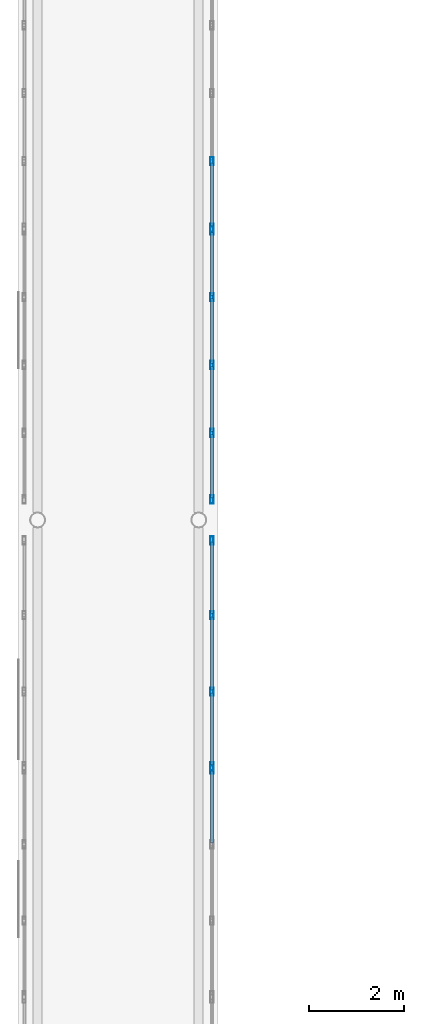
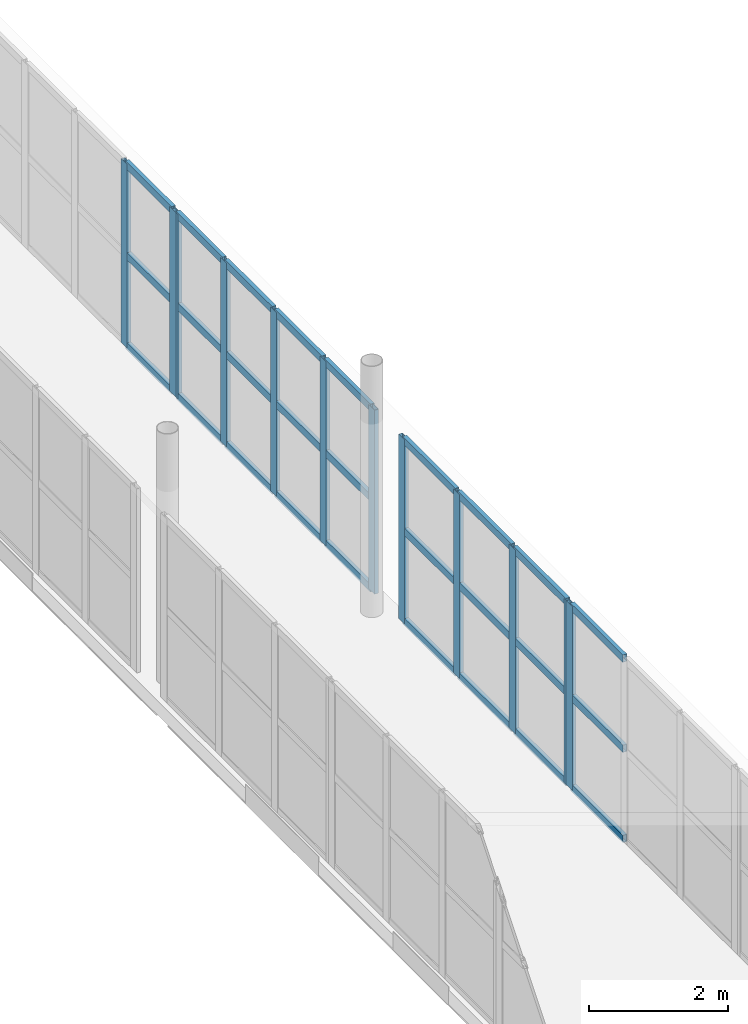
# One storey, part 55 of 142: 39 members, 4 elements without a shape of their own.
"""IFC4 building model written with IfcOpenShell, lengths in metres."""

import ifcopenshell
import ifcopenshell.guid

model = None  # the IFC model being written
_history = None  # IfcOwnerHistory: only IFC2X3 demands one
_inside = {}  # id of a spatial element -> (the spatial element, [elements in it])
_under = {}  # id of a project, library or spatial element -> (it, [spatial elements below it])
_declared = {}  # id of a project -> (the project, [libraries it declares])
_typed = {}  # id of a type object -> (the type object, [elements of that type])
_made_of = {}  # id of a material, layer set ... -> (it, [elements and type objects made of it])


def new_model(schema):
    """Start an empty IFC model of exactly this schema.

    Asked for "IFC4X3", IfcOpenShell would pick the latest addendum, in which some entities
    have other attributes; the version numbers below select the first issue.
    IFC2X3 requires an IfcOwnerHistory on every rooted entity: one is made here for all.
    """
    global model, _history
    if schema == "IFC4X3":
        model = ifcopenshell.file(schema_version=(4, 3, 0, 0))
    else:
        model = ifcopenshell.file(schema=schema)
    _inside.clear()
    _under.clear()
    _declared.clear()
    _typed.clear()
    _made_of.clear()
    _history = None
    if model.schema == "IFC2X3":
        org = make("IfcOrganization", Name="unknown")
        user = make(
            "IfcPersonAndOrganization",
            ThePerson=make("IfcPerson", FamilyName="unknown"),
            TheOrganization=org,
        )
        app = make(
            "IfcApplication",
            ApplicationDeveloper=org,
            Version="unknown",
            ApplicationFullName="unknown",
            ApplicationIdentifier="unknown",
        )
        _history = make(
            "IfcOwnerHistory",
            OwningUser=user,
            OwningApplication=app,
            ChangeAction="ADDED",
            CreationDate=0,
        )
    return model


def make(cls, **values):
    """One entity of the class cls with the attributes given. An attribute that is None is left unset."""
    return model.create_entity(
        cls, **{name: value for name, value in values.items() if value is not None}
    )


def rooted(cls, **values):
    """An entity with a GlobalId (a new one), such as an element, a storey or a relation."""
    return make(cls, GlobalId=ifcopenshell.guid.new(), OwnerHistory=_history, **values)


def si_unit(unit_type, name, prefix=None):
    """IfcSIUnit, for example si_unit("LENGTHUNIT", "METRE", prefix="MILLI")."""
    return make("IfcSIUnit", UnitType=unit_type, Prefix=prefix, Name=name)


def assignment(units):
    """IfcUnitAssignment: the units of a project."""
    return None if units is None else make("IfcUnitAssignment", Units=units)


def point(xyz):
    """IfcCartesianPoint."""
    return None if xyz is None else make("IfcCartesianPoint", Coordinates=xyz)


def direction(xyz):
    """IfcDirection."""
    return None if xyz is None else make("IfcDirection", DirectionRatios=xyz)


def frame(location, z_axis=None, x_axis=None):
    """IfcAxis2Placement3D, a coordinate frame: its origin and axes. An axis left out is left unset."""
    return make(
        "IfcAxis2Placement3D",
        Location=point(location),
        Axis=direction(z_axis),
        RefDirection=direction(x_axis),
    )


def frame_2d(location, x_axis=None):
    """IfcAxis2Placement2D, a coordinate frame in the plane: its origin and x axis."""
    return make(
        "IfcAxis2Placement2D", Location=point(location), RefDirection=direction(x_axis)
    )


def origin():
    """The frame at (0, 0, 0) with its axes left unset."""
    return frame((0.0, 0.0, 0.0))


def origin_2d():
    """The frame at (0, 0) in the plane with its x axis left unset."""
    return frame_2d((0.0, 0.0))


def place(relative_to, where):
    """IfcLocalPlacement: puts the frame where relative to a parent placement (None: the world)."""
    return make(
        "IfcLocalPlacement", PlacementRelTo=relative_to, RelativePlacement=where
    )


def context(
    kind, dimensions, precision=None, world=None, true_north=None, identifier=None
):
    """IfcGeometricRepresentationContext, for example the 3D "Model" context."""
    return make(
        "IfcGeometricRepresentationContext",
        ContextIdentifier=identifier,
        ContextType=kind,
        CoordinateSpaceDimension=dimensions,
        Precision=precision,
        WorldCoordinateSystem=world,
        TrueNorth=true_north,
    )


def subcontext(parent, identifier, kind, view, scale=None):
    """IfcGeometricRepresentationSubContext, for example "Body" below "Model"."""
    return make(
        "IfcGeometricRepresentationSubContext",
        ContextIdentifier=identifier,
        ContextType=kind,
        ParentContext=parent,
        TargetScale=scale,
        TargetView=view,
    )


def project(units=None, contexts=None):
    """IfcProject with its units and contexts."""
    return rooted(
        "IfcProject",
        Name="project",
        RepresentationContexts=contexts,
        UnitsInContext=assignment(units),
    )


def spatial(cls, under=None, at=None, **own):
    """A site, building, storey or space (cls), placed at a placement, below another one or the project."""
    s = rooted(cls, ObjectPlacement=at, **own)
    if under is not None:
        _under.setdefault(under.id(), (under, []))[1].append(s)
    return s


def profile(cls, at=None, kind="AREA", **sizes):
    """A parametric profile (cls). Its sizes go by their IFC names, for example OverallWidth=200.0."""
    return make(cls, ProfileType=kind, Position=at, **sizes)


def hollow_rectangle(**sizes):
    """IfcRectangleHollowProfileDef."""
    return profile("IfcRectangleHollowProfileDef", **sizes)


def extrude(swept, where, along, depth):
    """IfcExtrudedAreaSolid: the profile swept, set in the frame where, extruded along a direction by depth."""
    return make(
        "IfcExtrudedAreaSolid",
        SweptArea=swept,
        Position=where,
        ExtrudedDirection=direction(along),
        Depth=depth,
    )


def shape(context_of_items, identifier, shape_type, items):
    """IfcShapeRepresentation: the items that make up one representation, for example the "Body"."""
    return make(
        "IfcShapeRepresentation",
        ContextOfItems=context_of_items,
        RepresentationIdentifier=identifier,
        RepresentationType=shape_type,
        Items=items,
    )


def material(Name=None, Category=None):
    """IfcMaterial."""
    return make("IfcMaterial", Name=Name, Category=Category)


def layer(
    of_material, thickness, ventilated=None, Name=None, Category=None, Priority=None
):
    """IfcMaterialLayer: one layer of a wall or slab, of a material (None: an air gap)."""
    return make(
        "IfcMaterialLayer",
        Material=of_material,
        LayerThickness=thickness,
        IsVentilated=ventilated,
        Name=Name,
        Category=Category,
        Priority=Priority,
    )


def layer_set(layers, Name=None):
    """IfcMaterialLayerSet."""
    return make("IfcMaterialLayerSet", MaterialLayers=layers, LayerSetName=Name)


def material_profile(
    of_material, cross_section, Name=None, Category=None, Priority=None
):
    """IfcMaterialProfile: a cross section and its material."""
    return make(
        "IfcMaterialProfile",
        Name=Name,
        Material=of_material,
        Profile=cross_section,
        Priority=Priority,
        Category=Category,
    )


def profile_set(profiles, Name=None, composite=None):
    """IfcMaterialProfileSet."""
    return make(
        "IfcMaterialProfileSet",
        Name=Name,
        MaterialProfiles=profiles,
        CompositeProfile=composite,
    )


def made_of(thing, what):
    """Note that an element or type object is made of a material, layer set ...; save() writes the relation."""
    if what is not None:
        _made_of.setdefault(what.id(), (what, []))[1].append(thing)
    return thing


def type_object(cls, material=None, **own):
    """A type object (cls), such as IfcWallType, which elements share."""
    return made_of(rooted(cls, **own), material)


def element(
    cls,
    number,
    at=None,
    inside=None,
    cuts=None,
    type_object=None,
    material=None,
    context=None,
    identifier="Body",
    shape_type=None,
    held_by="IfcProductDefinitionShape",
    body=None,
    shapes=None,
    **own,
):
    """One element of the class cls, such as IfcWall. Its Tag is "e" and its number.

    at: its placement. inside: the storey or other place that contains it. cuts: it is an
    opening in that element (IfcRelVoidsElement). A single representation is given by context,
    identifier, shape_type and body (its items); several are given by shapes. held_by: the class
    of the entity that holds the representations. save() writes the other relations.
    """
    e = rooted(cls, Tag="e%d" % number, ObjectPlacement=at, **own)
    if body is not None:
        shapes = [shape(context, identifier, shape_type, body)]
    if shapes is not None:
        e.Representation = make(held_by, Representations=shapes)
    if inside is not None:
        _inside.setdefault(inside.id(), (inside, []))[1].append(e)
    if cuts is not None:
        rooted(
            "IfcRelVoidsElement", RelatingBuildingElement=cuts, RelatedOpeningElement=e
        )
    if type_object is not None:
        _typed.setdefault(type_object.id(), (type_object, []))[1].append(e)
    return made_of(e, material)


def aggregate(whole, parts):
    """IfcRelAggregates: a whole, such as a stair, and the parts it consists of."""
    return rooted("IfcRelAggregates", RelatingObject=whole, RelatedObjects=parts)


def save(model, path):
    """Write the relations noted so far, then the file.

    IfcRelAggregates (storeys below a building ...), IfcRelContainedInSpatialStructure (elements
    in a storey), IfcRelDefinesByType, IfcRelAssociatesMaterial and IfcRelDeclares: one each for
    every whole, place, type object, material and project.
    """
    for whole, parts in _under.values():
        aggregate(whole, parts)
    for where, things in _inside.values():
        rooted(
            "IfcRelContainedInSpatialStructure",
            RelatedElements=things,
            RelatingStructure=where,
        )
    for kind, things in _typed.values():
        rooted("IfcRelDefinesByType", RelatedObjects=things, RelatingType=kind)
    for what, things in _made_of.values():
        rooted("IfcRelAssociatesMaterial", RelatedObjects=things, RelatingMaterial=what)
    for by, libraries in _declared.values():
        rooted("IfcRelDeclares", RelatingContext=by, RelatedDefinitions=libraries)
    model.write(path)


model = new_model("IFC4")

# Units and contexts
model_context = context("Model", 3, precision=1e-05, world=origin(), true_north=direction((0.0, 1.0)))
body_context = subcontext(model_context, "Body", "Model", "MODEL_VIEW")
ifc_project = project(units=[si_unit("LENGTHUNIT", "METRE"), si_unit("AREAUNIT", "SQUARE_METRE"), si_unit("VOLUMEUNIT", "CUBIC_METRE"), si_unit("PLANEANGLEUNIT", "RADIAN"), si_unit("MASSUNIT", "GRAM", prefix="KILO")], contexts=[model_context])

# Site, building, storey
site_placement = place(None, origin())
site = spatial("IfcSite", under=ifc_project, at=site_placement, CompositionType="ELEMENT")
building_placement = place(site_placement, origin())
building = spatial("IfcBuilding", under=site, at=building_placement, Name="Valcora Specialist Clinic", CompositionType="ELEMENT")
storey_placement = place(building_placement, frame((0.0, 0.0, 5.10009765625)))
storey = spatial("IfcBuildingStorey", under=building, at=storey_placement, Name="L01", CompositionType="ELEMENT", Elevation=5.10009765625)

# Curtain wall, member
ifc_material = material(Name="Anodized Bronze Aluminium 6063-T6", Category="aluminium")
ifc_layer = layer(ifc_material, 0.175048828125)
ifc_layer_set = layer_set([ifc_layer], Name="Anodized Bronze Aluminium 6063-T6")
curtain_wall_type = type_object("IfcCurtainWallType", Name="TY-CW-BRG14", PredefinedType="NOTDEFINED", material=ifc_layer_set)
curtain_wall_1_placement = place(storey_placement, origin())
curtain_wall_1 = element("IfcCurtainWall", 1, at=curtain_wall_1_placement, inside=storey, type_object=curtain_wall_type, Name="Curtain wall CW-L01-241", PredefinedType="NOTDEFINED")
ifc_material_profile_1 = material_profile(ifc_material, hollow_rectangle(XDim=0.06494140625, YDim=0.175048828125, WallThickness=0.00390625, at=origin_2d()), Name="AL-MUL-65X175")
ifc_profile_set_1 = profile_set([ifc_material_profile_1], Name="Anodized Bronze Aluminium 6063-T6")
member_type_1 = type_object("IfcMemberType", Name="TY-CWM-65X175", PredefinedType="MULLION", material=ifc_profile_set_1)
member_1_placement = place(storey_placement, frame((65.280029296875, 32.734130859375, 0.0), z_axis=(0.0, 0.0, 1.0), x_axis=(-1.0, 0.0, 0.0)))
member_1 = element("IfcMember", 2, at=member_1_placement, type_object=member_type_1, Name="CW-BRG-14 mullion 4", PredefinedType="MULLION", context=body_context, shape_type="SweptSolid", body=[
    extrude(hollow_rectangle(XDim=0.06494140625, YDim=0.175048828125, WallThickness=0.00390625, at=origin_2d()), origin(), (0.0, 0.0, 1.0), 3.239990234375),
])

# Curtain wall, members
curtain_wall_2_placement = place(storey_placement, origin())
curtain_wall_2 = element("IfcCurtainWall", 3, at=curtain_wall_2_placement, inside=storey, type_object=curtain_wall_type, Name="Curtain wall CW-L01-242", PredefinedType="NOTDEFINED")
member_2_placement = place(storey_placement, frame((65.280029296875, 32.79931640625, 0.0), z_axis=(0.0, 0.0, 1.0), x_axis=(-1.0, 0.0, 0.0)))
member_2 = element("IfcMember", 4, at=member_2_placement, type_object=member_type_1, Name="CW-BRG-14 mullion 1", PredefinedType="MULLION", context=body_context, shape_type="SweptSolid", body=[
    extrude(hollow_rectangle(XDim=0.06494140625, YDim=0.175048828125, WallThickness=0.00390625, at=origin_2d()), origin(), (0.0, 0.0, 1.0), 3.239990234375),
])
member_3_placement = place(storey_placement, frame((65.280029296875, 34.377685546875, 0.0), z_axis=(0.0, 0.0, 1.0), x_axis=(-1.0, 0.0, 0.0)))
member_3 = element("IfcMember", 5, at=member_3_placement, type_object=member_type_1, Name="CW-BRG-14 mullion 2", PredefinedType="MULLION", context=body_context, shape_type="SweptSolid", body=[
    extrude(hollow_rectangle(XDim=0.06494140625, YDim=0.175048828125, WallThickness=0.00390625, at=origin_2d()), origin(), (0.0, 0.0, 1.0), 3.239990234375),
])
member_4_placement = place(storey_placement, frame((65.280029296875, 35.989013671875, 0.0), z_axis=(0.0, 0.0, 1.0), x_axis=(-1.0, 0.0, 0.0)))
member_4 = element("IfcMember", 6, at=member_4_placement, type_object=member_type_1, Name="CW-BRG-14 mullion 3", PredefinedType="MULLION", context=body_context, shape_type="SweptSolid", body=[
    extrude(hollow_rectangle(XDim=0.06494140625, YDim=0.175048828125, WallThickness=0.00390625, at=origin_2d()), origin(), (0.0, 0.0, 1.0), 3.239990234375),
])
member_5_placement = place(storey_placement, frame((65.280029296875, 37.5673828125, 0.0), z_axis=(0.0, 0.0, 1.0), x_axis=(-1.0, 0.0, 0.0)))
member_5 = element("IfcMember", 7, at=member_5_placement, type_object=member_type_1, Name="CW-BRG-14 mullion 4", PredefinedType="MULLION", context=body_context, shape_type="SweptSolid", body=[
    extrude(hollow_rectangle(XDim=0.06494140625, YDim=0.175048828125, WallThickness=0.00390625, at=origin_2d()), origin(), (0.0, 0.0, 1.0), 3.239990234375),
])

curtain_wall_3_placement = place(storey_placement, origin())
curtain_wall_3 = element("IfcCurtainWall", 8, at=curtain_wall_3_placement, inside=storey, type_object=curtain_wall_type, Name="Curtain wall CW-L01-243", PredefinedType="NOTDEFINED")
member_6_placement = place(storey_placement, frame((65.280029296875, 38.4326171875, 0.0), z_axis=(0.0, 0.0, 1.0), x_axis=(-1.0, 0.0, 0.0)))
member_6 = element("IfcMember", 9, at=member_6_placement, type_object=member_type_1, Name="CW-BRG-14 mullion 1", PredefinedType="MULLION", context=body_context, shape_type="SweptSolid", body=[
    extrude(hollow_rectangle(XDim=0.06494140625, YDim=0.175048828125, WallThickness=0.00390625, at=origin_2d()), origin(), (0.0, 0.0, 1.0), 3.239990234375),
])
member_7_placement = place(storey_placement, frame((65.280029296875, 39.833251953125, 0.0), z_axis=(0.0, 0.0, 1.0), x_axis=(-1.0, 0.0, 0.0)))
member_7 = element("IfcMember", 10, at=member_7_placement, type_object=member_type_1, Name="CW-BRG-14 mullion 2", PredefinedType="MULLION", context=body_context, shape_type="SweptSolid", body=[
    extrude(hollow_rectangle(XDim=0.06494140625, YDim=0.175048828125, WallThickness=0.00390625, at=origin_2d()), origin(), (0.0, 0.0, 1.0), 3.239990234375),
])
member_8_placement = place(storey_placement, frame((65.280029296875, 41.2666015625, 0.0), z_axis=(0.0, 0.0, 1.0), x_axis=(-1.0, 0.0, 0.0)))
member_8 = element("IfcMember", 11, at=member_8_placement, type_object=member_type_1, Name="CW-BRG-14 mullion 3", PredefinedType="MULLION", context=body_context, shape_type="SweptSolid", body=[
    extrude(hollow_rectangle(XDim=0.06494140625, YDim=0.175048828125, WallThickness=0.00390625, at=origin_2d()), origin(), (0.0, 0.0, 1.0), 3.239990234375),
])
member_9_placement = place(storey_placement, frame((65.280029296875, 42.699951171875, 0.0), z_axis=(0.0, 0.0, 1.0), x_axis=(-1.0, 0.0, 0.0)))
member_9 = element("IfcMember", 12, at=member_9_placement, type_object=member_type_1, Name="CW-BRG-14 mullion 4", PredefinedType="MULLION", context=body_context, shape_type="SweptSolid", body=[
    extrude(hollow_rectangle(XDim=0.06494140625, YDim=0.175048828125, WallThickness=0.00390625, at=origin_2d()), origin(), (0.0, 0.0, 1.0), 3.239990234375),
])
member_10_placement = place(storey_placement, frame((65.280029296875, 44.100830078125, 0.0), z_axis=(0.0, 0.0, 1.0), x_axis=(-1.0, 0.0, 0.0)))
member_10 = element("IfcMember", 13, at=member_10_placement, type_object=member_type_1, Name="CW-BRG-14 mullion 5", PredefinedType="MULLION", context=body_context, shape_type="SweptSolid", body=[
    extrude(hollow_rectangle(XDim=0.06494140625, YDim=0.175048828125, WallThickness=0.00390625, at=origin_2d()), origin(), (0.0, 0.0, 1.0), 3.239990234375),
])

curtain_wall_4_placement = place(storey_placement, origin())
curtain_wall_4 = element("IfcCurtainWall", 14, at=curtain_wall_4_placement, inside=storey, type_object=curtain_wall_type, Name="Curtain wall CW-L01-244", PredefinedType="NOTDEFINED")
member_11_placement = place(storey_placement, frame((65.280029296875, 44.165771484375, 0.0), z_axis=(0.0, 0.0, 1.0), x_axis=(-1.0, 0.0, 0.0)))
member_11 = element("IfcMember", 15, at=member_11_placement, type_object=member_type_1, Name="CW-BRG-14 mullion 1", PredefinedType="MULLION", context=body_context, shape_type="SweptSolid", body=[
    extrude(hollow_rectangle(XDim=0.06494140625, YDim=0.175048828125, WallThickness=0.00390625, at=origin_2d()), origin(), (0.0, 0.0, 1.0), 3.239990234375),
])
member_12_placement = place(storey_placement, frame((65.280029296875, 45.566650390625, 0.0), z_axis=(0.0, 0.0, 1.0), x_axis=(-1.0, 0.0, 0.0)))
member_12 = element("IfcMember", 16, at=member_12_placement, type_object=member_type_1, Name="CW-BRG-14 mullion 2", PredefinedType="MULLION", context=body_context, shape_type="SweptSolid", body=[
    extrude(hollow_rectangle(XDim=0.06494140625, YDim=0.175048828125, WallThickness=0.00390625, at=origin_2d()), origin(), (0.0, 0.0, 1.0), 3.239990234375),
])

# Member
ifc_material_profile_2 = material_profile(ifc_material, hollow_rectangle(XDim=0.06494140625, YDim=0.1298828125, WallThickness=0.00390625, at=origin_2d()), Name="AL-TRN-65X130")
ifc_profile_set_2 = profile_set([ifc_material_profile_2], Name="Anodized Bronze Aluminium 6063-T6")
member_type_2 = type_object("IfcMemberType", Name="TY-CWT-65X130", PredefinedType="USERDEFINED", material=ifc_profile_set_2)
member_13_placement = place(storey_placement, frame((65.280029296875, 31.18798828125, 0.032470703125), z_axis=(0.0, 1.0, 0.0), x_axis=(-1.0, 0.0, 0.0)))
member_13 = element("IfcMember", 17, at=member_13_placement, type_object=member_type_2, Name="CW-BRG-14 transom 3.1", ObjectType="TRANSOM", PredefinedType="USERDEFINED", context=body_context, shape_type="SweptSolid", body=[
    extrude(hollow_rectangle(XDim=0.06494140625, YDim=0.1298828125, WallThickness=0.00390625, at=origin_2d()), origin(), (0.0, 0.0, 1.0), 1.513671875),
])

member_14_placement = place(storey_placement, frame((65.280029296875, 31.18798828125, 1.619873046875), z_axis=(0.0, 1.0, 0.0), x_axis=(-1.0, 0.0, 0.0)))
member_14 = element("IfcMember", 18, at=member_14_placement, type_object=member_type_2, Name="CW-BRG-14 transom 3.2", ObjectType="TRANSOM", PredefinedType="USERDEFINED", context=body_context, shape_type="SweptSolid", body=[
    extrude(hollow_rectangle(XDim=0.06494140625, YDim=0.1298828125, WallThickness=0.00390625, at=origin_2d()), origin(), (0.0, 0.0, 1.0), 1.513671875),
])

member_15_placement = place(storey_placement, frame((65.280029296875, 31.18798828125, 3.20751953125), z_axis=(0.0, 1.0, 0.0), x_axis=(-1.0, 0.0, 0.0)))
member_15 = element("IfcMember", 19, at=member_15_placement, type_object=member_type_2, Name="CW-BRG-14 transom 3.3", ObjectType="TRANSOM", PredefinedType="USERDEFINED", context=body_context, shape_type="SweptSolid", body=[
    extrude(hollow_rectangle(XDim=0.06494140625, YDim=0.1298828125, WallThickness=0.00390625, at=origin_2d()), origin(), (0.0, 0.0, 1.0), 1.513671875),
])

aggregate(curtain_wall_1, [member_1, member_13, member_14, member_15])

member_16_placement = place(storey_placement, frame((65.280029296875, 32.831787109375, 0.032470703125), z_axis=(0.0, 1.0, 0.0), x_axis=(-1.0, 0.0, 0.0)))
member_16 = element("IfcMember", 20, at=member_16_placement, type_object=member_type_2, Name="CW-BRG-14 transom 1.1", ObjectType="TRANSOM", PredefinedType="USERDEFINED", context=body_context, shape_type="SweptSolid", body=[
    extrude(hollow_rectangle(XDim=0.06494140625, YDim=0.1298828125, WallThickness=0.00390625, at=origin_2d()), origin(), (0.0, 0.0, 1.0), 1.513427734375),
])

member_17_placement = place(storey_placement, frame((65.280029296875, 32.831787109375, 1.619873046875), z_axis=(0.0, 1.0, 0.0), x_axis=(-1.0, 0.0, 0.0)))
member_17 = element("IfcMember", 21, at=member_17_placement, type_object=member_type_2, Name="CW-BRG-14 transom 1.2", ObjectType="TRANSOM", PredefinedType="USERDEFINED", context=body_context, shape_type="SweptSolid", body=[
    extrude(hollow_rectangle(XDim=0.06494140625, YDim=0.1298828125, WallThickness=0.00390625, at=origin_2d()), origin(), (0.0, 0.0, 1.0), 1.513427734375),
])

member_18_placement = place(storey_placement, frame((65.280029296875, 32.831787109375, 3.20751953125), z_axis=(0.0, 1.0, 0.0), x_axis=(-1.0, 0.0, 0.0)))
member_18 = element("IfcMember", 22, at=member_18_placement, type_object=member_type_2, Name="CW-BRG-14 transom 1.3", ObjectType="TRANSOM", PredefinedType="USERDEFINED", context=body_context, shape_type="SweptSolid", body=[
    extrude(hollow_rectangle(XDim=0.06494140625, YDim=0.1298828125, WallThickness=0.00390625, at=origin_2d()), origin(), (0.0, 0.0, 1.0), 1.513427734375),
])

member_19_placement = place(storey_placement, frame((65.280029296875, 34.410400390625, 0.032470703125), z_axis=(0.0, 1.0, 0.0), x_axis=(-1.0, 0.0, 0.0)))
member_19 = element("IfcMember", 23, at=member_19_placement, type_object=member_type_2, Name="CW-BRG-14 transom 2.1", ObjectType="TRANSOM", PredefinedType="USERDEFINED", context=body_context, shape_type="SweptSolid", body=[
    extrude(hollow_rectangle(XDim=0.06494140625, YDim=0.1298828125, WallThickness=0.00390625, at=origin_2d()), origin(), (0.0, 0.0, 1.0), 1.5458984375),
])

member_20_placement = place(storey_placement, frame((65.280029296875, 34.410400390625, 1.619873046875), z_axis=(0.0, 1.0, 0.0), x_axis=(-1.0, 0.0, 0.0)))
member_20 = element("IfcMember", 24, at=member_20_placement, type_object=member_type_2, Name="CW-BRG-14 transom 2.2", ObjectType="TRANSOM", PredefinedType="USERDEFINED", context=body_context, shape_type="SweptSolid", body=[
    extrude(hollow_rectangle(XDim=0.06494140625, YDim=0.1298828125, WallThickness=0.00390625, at=origin_2d()), origin(), (0.0, 0.0, 1.0), 1.5458984375),
])

member_21_placement = place(storey_placement, frame((65.280029296875, 34.410400390625, 3.20751953125), z_axis=(0.0, 1.0, 0.0), x_axis=(-1.0, 0.0, 0.0)))
member_21 = element("IfcMember", 25, at=member_21_placement, type_object=member_type_2, Name="CW-BRG-14 transom 2.3", ObjectType="TRANSOM", PredefinedType="USERDEFINED", context=body_context, shape_type="SweptSolid", body=[
    extrude(hollow_rectangle(XDim=0.06494140625, YDim=0.1298828125, WallThickness=0.00390625, at=origin_2d()), origin(), (0.0, 0.0, 1.0), 1.5458984375),
])

member_22_placement = place(storey_placement, frame((65.280029296875, 36.021484375, 0.032470703125), z_axis=(0.0, 1.0, 0.0), x_axis=(-1.0, 0.0, 0.0)))
member_22 = element("IfcMember", 26, at=member_22_placement, type_object=member_type_2, Name="CW-BRG-14 transom 3.1", ObjectType="TRANSOM", PredefinedType="USERDEFINED", context=body_context, shape_type="SweptSolid", body=[
    extrude(hollow_rectangle(XDim=0.06494140625, YDim=0.1298828125, WallThickness=0.00390625, at=origin_2d()), origin(), (0.0, 0.0, 1.0), 1.513427734375),
])

member_23_placement = place(storey_placement, frame((65.280029296875, 36.021484375, 1.619873046875), z_axis=(0.0, 1.0, 0.0), x_axis=(-1.0, 0.0, 0.0)))
member_23 = element("IfcMember", 27, at=member_23_placement, type_object=member_type_2, Name="CW-BRG-14 transom 3.2", ObjectType="TRANSOM", PredefinedType="USERDEFINED", context=body_context, shape_type="SweptSolid", body=[
    extrude(hollow_rectangle(XDim=0.06494140625, YDim=0.1298828125, WallThickness=0.00390625, at=origin_2d()), origin(), (0.0, 0.0, 1.0), 1.513427734375),
])

member_24_placement = place(storey_placement, frame((65.280029296875, 36.021484375, 3.20751953125), z_axis=(0.0, 1.0, 0.0), x_axis=(-1.0, 0.0, 0.0)))
member_24 = element("IfcMember", 28, at=member_24_placement, type_object=member_type_2, Name="CW-BRG-14 transom 3.3", ObjectType="TRANSOM", PredefinedType="USERDEFINED", context=body_context, shape_type="SweptSolid", body=[
    extrude(hollow_rectangle(XDim=0.06494140625, YDim=0.1298828125, WallThickness=0.00390625, at=origin_2d()), origin(), (0.0, 0.0, 1.0), 1.513427734375),
])

aggregate(curtain_wall_2, [member_2, member_3, member_4, member_5, member_16, member_17, member_18, member_19, member_20, member_21, member_22, member_23, member_24])

member_25_placement = place(storey_placement, frame((65.280029296875, 38.465087890625, 0.032470703125), z_axis=(0.0, 1.0, 0.0), x_axis=(-1.0, 0.0, 0.0)))
member_25 = element("IfcMember", 29, at=member_25_placement, type_object=member_type_2, Name="CW-BRG-14 transom 1.1", ObjectType="TRANSOM", PredefinedType="USERDEFINED", context=body_context, shape_type="SweptSolid", body=[
    extrude(hollow_rectangle(XDim=0.06494140625, YDim=0.1298828125, WallThickness=0.00390625, at=origin_2d()), origin(), (0.0, 0.0, 1.0), 1.335693359375),
])

member_26_placement = place(storey_placement, frame((65.280029296875, 38.465087890625, 1.619873046875), z_axis=(0.0, 1.0, 0.0), x_axis=(-1.0, 0.0, 0.0)))
member_26 = element("IfcMember", 30, at=member_26_placement, type_object=member_type_2, Name="CW-BRG-14 transom 1.2", ObjectType="TRANSOM", PredefinedType="USERDEFINED", context=body_context, shape_type="SweptSolid", body=[
    extrude(hollow_rectangle(XDim=0.06494140625, YDim=0.1298828125, WallThickness=0.00390625, at=origin_2d()), origin(), (0.0, 0.0, 1.0), 1.335693359375),
])

member_27_placement = place(storey_placement, frame((65.280029296875, 38.465087890625, 3.20751953125), z_axis=(0.0, 1.0, 0.0), x_axis=(-1.0, 0.0, 0.0)))
member_27 = element("IfcMember", 31, at=member_27_placement, type_object=member_type_2, Name="CW-BRG-14 transom 1.3", ObjectType="TRANSOM", PredefinedType="USERDEFINED", context=body_context, shape_type="SweptSolid", body=[
    extrude(hollow_rectangle(XDim=0.06494140625, YDim=0.1298828125, WallThickness=0.00390625, at=origin_2d()), origin(), (0.0, 0.0, 1.0), 1.335693359375),
])

member_28_placement = place(storey_placement, frame((65.280029296875, 39.86572265625, 0.032470703125), z_axis=(0.0, 1.0, 0.0), x_axis=(-1.0, 0.0, 0.0)))
member_28 = element("IfcMember", 32, at=member_28_placement, type_object=member_type_2, Name="CW-BRG-14 transom 2.1", ObjectType="TRANSOM", PredefinedType="USERDEFINED", context=body_context, shape_type="SweptSolid", body=[
    extrude(hollow_rectangle(XDim=0.06494140625, YDim=0.1298828125, WallThickness=0.00390625, at=origin_2d()), origin(), (0.0, 0.0, 1.0), 1.368408203125),
])

member_29_placement = place(storey_placement, frame((65.280029296875, 39.86572265625, 1.619873046875), z_axis=(0.0, 1.0, 0.0), x_axis=(-1.0, 0.0, 0.0)))
member_29 = element("IfcMember", 33, at=member_29_placement, type_object=member_type_2, Name="CW-BRG-14 transom 2.2", ObjectType="TRANSOM", PredefinedType="USERDEFINED", context=body_context, shape_type="SweptSolid", body=[
    extrude(hollow_rectangle(XDim=0.06494140625, YDim=0.1298828125, WallThickness=0.00390625, at=origin_2d()), origin(), (0.0, 0.0, 1.0), 1.368408203125),
])

member_30_placement = place(storey_placement, frame((65.280029296875, 39.86572265625, 3.20751953125), z_axis=(0.0, 1.0, 0.0), x_axis=(-1.0, 0.0, 0.0)))
member_30 = element("IfcMember", 34, at=member_30_placement, type_object=member_type_2, Name="CW-BRG-14 transom 2.3", ObjectType="TRANSOM", PredefinedType="USERDEFINED", context=body_context, shape_type="SweptSolid", body=[
    extrude(hollow_rectangle(XDim=0.06494140625, YDim=0.1298828125, WallThickness=0.00390625, at=origin_2d()), origin(), (0.0, 0.0, 1.0), 1.368408203125),
])

member_31_placement = place(storey_placement, frame((65.280029296875, 41.299072265625, 0.032470703125), z_axis=(0.0, 1.0, 0.0), x_axis=(-1.0, 0.0, 0.0)))
member_31 = element("IfcMember", 35, at=member_31_placement, type_object=member_type_2, Name="CW-BRG-14 transom 3.1", ObjectType="TRANSOM", PredefinedType="USERDEFINED", context=body_context, shape_type="SweptSolid", body=[
    extrude(hollow_rectangle(XDim=0.06494140625, YDim=0.1298828125, WallThickness=0.00390625, at=origin_2d()), origin(), (0.0, 0.0, 1.0), 1.368408203125),
])

member_32_placement = place(storey_placement, frame((65.280029296875, 41.299072265625, 1.619873046875), z_axis=(0.0, 1.0, 0.0), x_axis=(-1.0, 0.0, 0.0)))
member_32 = element("IfcMember", 36, at=member_32_placement, type_object=member_type_2, Name="CW-BRG-14 transom 3.2", ObjectType="TRANSOM", PredefinedType="USERDEFINED", context=body_context, shape_type="SweptSolid", body=[
    extrude(hollow_rectangle(XDim=0.06494140625, YDim=0.1298828125, WallThickness=0.00390625, at=origin_2d()), origin(), (0.0, 0.0, 1.0), 1.368408203125),
])

member_33_placement = place(storey_placement, frame((65.280029296875, 41.299072265625, 3.20751953125), z_axis=(0.0, 1.0, 0.0), x_axis=(-1.0, 0.0, 0.0)))
member_33 = element("IfcMember", 37, at=member_33_placement, type_object=member_type_2, Name="CW-BRG-14 transom 3.3", ObjectType="TRANSOM", PredefinedType="USERDEFINED", context=body_context, shape_type="SweptSolid", body=[
    extrude(hollow_rectangle(XDim=0.06494140625, YDim=0.1298828125, WallThickness=0.00390625, at=origin_2d()), origin(), (0.0, 0.0, 1.0), 1.368408203125),
])

member_34_placement = place(storey_placement, frame((65.280029296875, 42.732421875, 0.032470703125), z_axis=(0.0, 1.0, 0.0), x_axis=(-1.0, 0.0, 0.0)))
member_34 = element("IfcMember", 38, at=member_34_placement, type_object=member_type_2, Name="CW-BRG-14 transom 4.1", ObjectType="TRANSOM", PredefinedType="USERDEFINED", context=body_context, shape_type="SweptSolid", body=[
    extrude(hollow_rectangle(XDim=0.06494140625, YDim=0.1298828125, WallThickness=0.00390625, at=origin_2d()), origin(), (0.0, 0.0, 1.0), 1.3359375),
])

member_35_placement = place(storey_placement, frame((65.280029296875, 42.732421875, 1.619873046875), z_axis=(0.0, 1.0, 0.0), x_axis=(-1.0, 0.0, 0.0)))
member_35 = element("IfcMember", 39, at=member_35_placement, type_object=member_type_2, Name="CW-BRG-14 transom 4.2", ObjectType="TRANSOM", PredefinedType="USERDEFINED", context=body_context, shape_type="SweptSolid", body=[
    extrude(hollow_rectangle(XDim=0.06494140625, YDim=0.1298828125, WallThickness=0.00390625, at=origin_2d()), origin(), (0.0, 0.0, 1.0), 1.3359375),
])

member_36_placement = place(storey_placement, frame((65.280029296875, 42.732421875, 3.20751953125), z_axis=(0.0, 1.0, 0.0), x_axis=(-1.0, 0.0, 0.0)))
member_36 = element("IfcMember", 40, at=member_36_placement, type_object=member_type_2, Name="CW-BRG-14 transom 4.3", ObjectType="TRANSOM", PredefinedType="USERDEFINED", context=body_context, shape_type="SweptSolid", body=[
    extrude(hollow_rectangle(XDim=0.06494140625, YDim=0.1298828125, WallThickness=0.00390625, at=origin_2d()), origin(), (0.0, 0.0, 1.0), 1.3359375),
])

aggregate(curtain_wall_3, [member_6, member_7, member_8, member_9, member_10, member_25, member_26, member_27, member_28, member_29, member_30, member_31, member_32, member_33, member_34, member_35, member_36])

member_37_placement = place(storey_placement, frame((65.280029296875, 44.1982421875, 0.032470703125), z_axis=(0.0, 1.0, 0.0), x_axis=(-1.0, 0.0, 0.0)))
member_37 = element("IfcMember", 41, at=member_37_placement, type_object=member_type_2, Name="CW-BRG-14 transom 1.1", ObjectType="TRANSOM", PredefinedType="USERDEFINED", context=body_context, shape_type="SweptSolid", body=[
    extrude(hollow_rectangle(XDim=0.06494140625, YDim=0.1298828125, WallThickness=0.00390625, at=origin_2d()), origin(), (0.0, 0.0, 1.0), 1.3359375),
])

member_38_placement = place(storey_placement, frame((65.280029296875, 44.1982421875, 1.619873046875), z_axis=(0.0, 1.0, 0.0), x_axis=(-1.0, 0.0, 0.0)))
member_38 = element("IfcMember", 42, at=member_38_placement, type_object=member_type_2, Name="CW-BRG-14 transom 1.2", ObjectType="TRANSOM", PredefinedType="USERDEFINED", context=body_context, shape_type="SweptSolid", body=[
    extrude(hollow_rectangle(XDim=0.06494140625, YDim=0.1298828125, WallThickness=0.00390625, at=origin_2d()), origin(), (0.0, 0.0, 1.0), 1.3359375),
])

member_39_placement = place(storey_placement, frame((65.280029296875, 44.1982421875, 3.20751953125), z_axis=(0.0, 1.0, 0.0), x_axis=(-1.0, 0.0, 0.0)))
member_39 = element("IfcMember", 43, at=member_39_placement, type_object=member_type_2, Name="CW-BRG-14 transom 1.3", ObjectType="TRANSOM", PredefinedType="USERDEFINED", context=body_context, shape_type="SweptSolid", body=[
    extrude(hollow_rectangle(XDim=0.06494140625, YDim=0.1298828125, WallThickness=0.00390625, at=origin_2d()), origin(), (0.0, 0.0, 1.0), 1.3359375),
])

aggregate(curtain_wall_4, [member_11, member_12, member_37, member_38, member_39])

save(model, "model.ifc")
